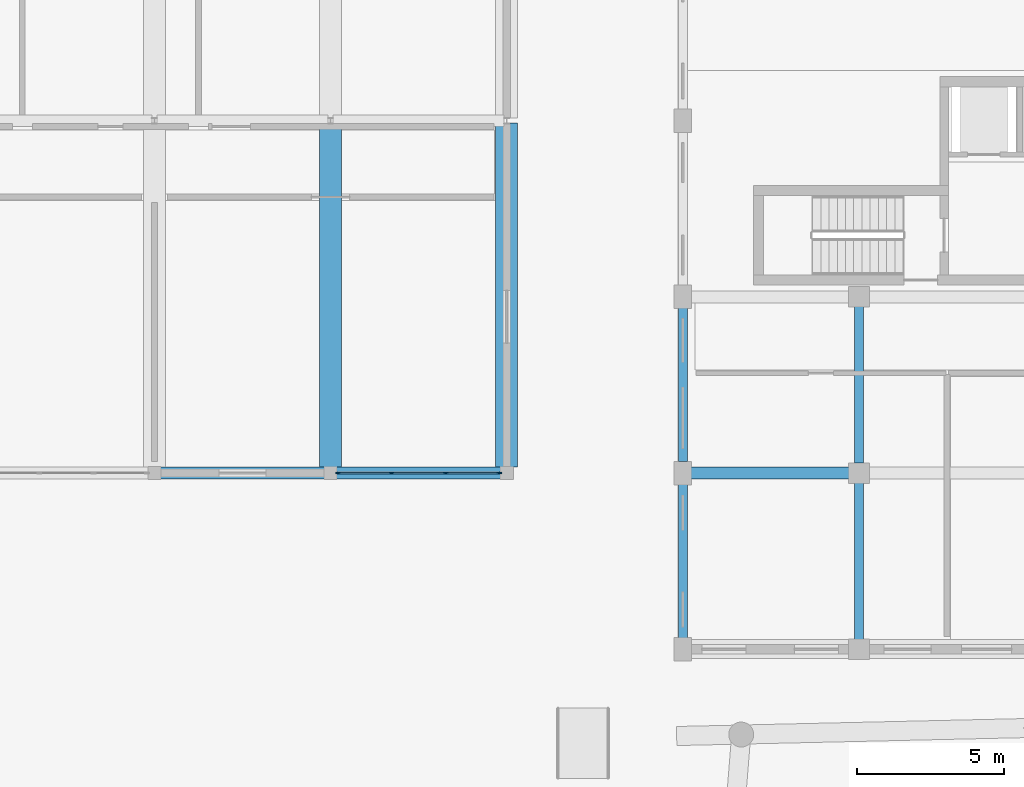
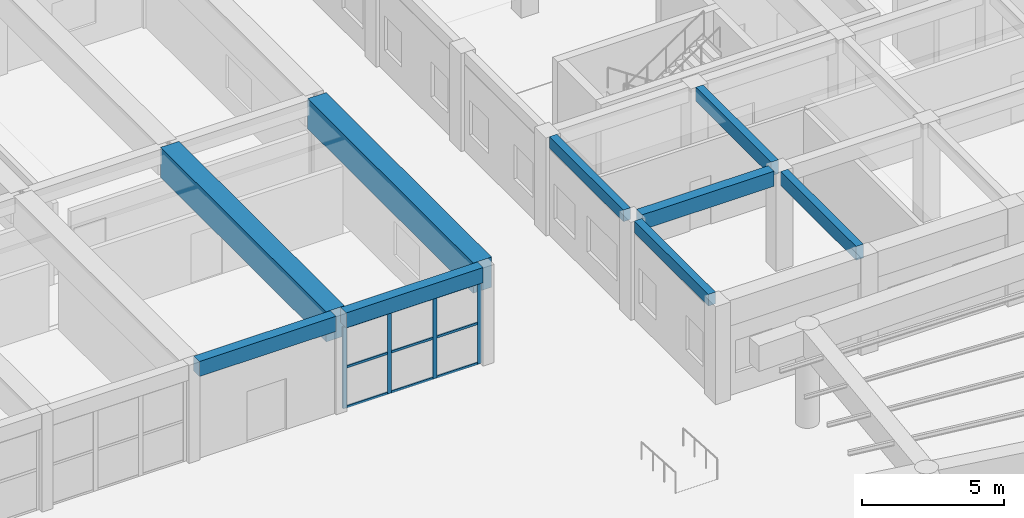
# One storey, part 23 of 76: 13 members, 9 beams, 1 element without a shape of its own.
"""IFC4 building model written with IfcOpenShell, lengths in metres."""

from ifc_helpers import new_model, si_unit, direction, frame, origin, origin_2d, place, context, subcontext, project, spatial, rectangle, extrude, material, layer, layer_set, material_profile, profile_set, type_object, element, aggregate, save


model = new_model("IFC4")

# Units and contexts
model_context = context("Model", 3, precision=1e-05, world=origin(), true_north=direction((0.0, 1.0)))
body_context = subcontext(model_context, "Body", "Model", "MODEL_VIEW")
ifc_project = project(units=[si_unit("LENGTHUNIT", "METRE"), si_unit("AREAUNIT", "SQUARE_METRE"), si_unit("VOLUMEUNIT", "CUBIC_METRE"), si_unit("PLANEANGLEUNIT", "RADIAN"), si_unit("MASSUNIT", "GRAM", prefix="KILO"), si_unit("POWERUNIT", "WATT"), si_unit("THERMODYNAMICTEMPERATUREUNIT", "KELVIN")], contexts=[model_context])

# Site, building, storey
site_placement = place(None, origin())
site = spatial("IfcSite", under=ifc_project, at=site_placement, CompositionType="ELEMENT")
building_placement = place(site_placement, origin())
building = spatial("IfcBuilding", under=site, at=building_placement, Name="Ruvembo Vaulted Housing Court", CompositionType="ELEMENT")
storey_placement = place(building_placement, origin())
storey = spatial("IfcBuildingStorey", under=building, at=storey_placement, Name="L00", CompositionType="ELEMENT", Elevation=0.0)

# Beams
ifc_material_1 = material(Name="Concrete C35/45", Category="concrete")
ifc_material_profile_1 = material_profile(ifc_material_1, rectangle(XDim=0.300048828125, YDim=0.60009765625, at=origin_2d()), Name="RC 300x600")
ifc_profile_set_1 = profile_set([ifc_material_profile_1], Name="Concrete C35/45")
beam_type_1 = type_object("IfcBeamType", Name="BM-RC-300x600", PredefinedType="BEAM", material=ifc_profile_set_1)
for number, where, z_axis, x_axis, name in (
    (1, (54.0, 78.3349609375, 3.929931640625), (0.0, 1.0, 0.0), (-1.0, 0.0, 0.0), "L00 Grid Beam Y #998"),
    (2, (54.0, 84.3349609375, 3.929931640625), (0.0, 1.0, 0.0), (-1.0, 0.0, 0.0), "L00 Grid Beam Y #999"),
):
    element("IfcBeam", number, at=place(storey_placement, frame(where, z_axis=z_axis, x_axis=x_axis)), inside=storey, type_object=beam_type_1, Name=name, PredefinedType="BEAM", context=body_context, shape_type="SweptSolid", body=[
        extrude(rectangle(XDim=0.300048828125, YDim=0.60009765625, at=origin_2d()), origin(), (0.0, 0.0, 1.0), 5.330078125),
    ])
ifc_material_profile_2 = material_profile(ifc_material_1, rectangle(XDim=0.39990234375, YDim=0.64990234375, at=origin_2d()), Name="RC 400x650")
ifc_profile_set_2 = profile_set([ifc_material_profile_2], Name="Concrete C35/45")
beam_type_2 = type_object("IfcBeamType", Name="BM-RC-400x650", PredefinedType="BEAM", material=ifc_profile_set_2)
for number, where, z_axis, x_axis, name in (
    (3, (30.2099609375, 84.0, 3.905029296875), (1.0, 0.0, 0.0), (0.0, 1.0, 0.0), "L00 Grid Beam X #874"),
    (4, (36.2099609375, 84.0, 3.905029296875), (1.0, 0.0, 0.0), (0.0, 1.0, 0.0), "L00 Grid Beam X #875"),
):
    element("IfcBeam", number, at=place(storey_placement, frame(where, z_axis=z_axis, x_axis=x_axis)), inside=storey, type_object=beam_type_2, Name=name, PredefinedType="BEAM", context=body_context, shape_type="SweptSolid", body=[
        extrude(rectangle(XDim=0.39990234375, YDim=0.64990234375, at=origin_2d()), origin(), (0.0, 0.0, 1.0), 5.580078125),
    ])
beam_placement = place(storey_placement, frame((48.284912109375, 84.0, 3.905029296875), z_axis=(1.0, 0.0, 0.0), x_axis=(0.0, 1.0, 0.0)))
element("IfcBeam", 5, at=beam_placement, inside=storey, type_object=beam_type_2, Name="L00 Grid Beam X #876", PredefinedType="BEAM", context=body_context, shape_type="SweptSolid", body=[
    extrude(rectangle(XDim=0.39990234375, YDim=0.64990234375, at=origin_2d()), origin(), (0.0, 0.0, 1.0), 5.380126953125),
])

# Curtain wall, members
ifc_material_2 = material(Name="Anodised Aluminium and Solar-Control Glass", Category="aluminium")
ifc_layer = layer(ifc_material_2, 0.139892578125, Name="Anodised Aluminium and Solar-Control Glass")
ifc_layer_set = layer_set([ifc_layer], Name="Anodised Aluminium and Solar-Control Glass")
curtain_wall_type = type_object("IfcCurtainWallType", Name="CW-NURSERY-G", PredefinedType="NOTDEFINED", material=ifc_layer_set)
curtain_wall_placement = place(storey_placement, origin())
curtain_wall = element("IfcCurtainWall", 6, at=curtain_wall_placement, inside=storey, type_object=curtain_wall_type, Name="L00 Curtain Wall CW-L00-0137", PredefinedType="NOTDEFINED")
ifc_material_3 = material(Name="Anodised Aluminium 6063-T6", Category="aluminium")
ifc_material_profile_3 = material_profile(ifc_material_3, rectangle(XDim=0.06005859375, YDim=0.159912109375, at=origin_2d()), Name="ALU 60x160")
ifc_profile_set_3 = profile_set([ifc_material_profile_3], Name="Anodised Aluminium 6063-T6")
member_type_1 = type_object("IfcMemberType", Name="CW-MULLION-65x150", PredefinedType="MULLION", material=ifc_profile_set_3)
member_1_placement = place(storey_placement, frame((36.2548828125, 84.0, 0.0), z_axis=(0.0, 0.0, 1.0), x_axis=(0.0, 1.0, 0.0)))
member_1 = element("IfcMember", 7, at=member_1_placement, type_object=member_type_1, Name="CW4 mullion 1", PredefinedType="MULLION", context=body_context, shape_type="SweptSolid", body=[
    extrude(rectangle(XDim=0.06005859375, YDim=0.159912109375, at=origin_2d()), origin(), (0.0, 0.0, 1.0), 3.511962890625),
])
member_2_placement = place(storey_placement, frame((38.074951171875, 84.0, 0.0), z_axis=(0.0, 0.0, 1.0), x_axis=(0.0, 1.0, 0.0)))
member_2 = element("IfcMember", 8, at=member_2_placement, type_object=member_type_1, Name="CW4 mullion 2", PredefinedType="MULLION", context=body_context, shape_type="SweptSolid", body=[
    extrude(rectangle(XDim=0.06005859375, YDim=0.159912109375, at=origin_2d()), origin(), (0.0, 0.0, 1.0), 3.511962890625),
])
member_3_placement = place(storey_placement, frame((39.925048828125, 84.0, 0.0), z_axis=(0.0, 0.0, 1.0), x_axis=(0.0, 1.0, 0.0)))
member_3 = element("IfcMember", 9, at=member_3_placement, type_object=member_type_1, Name="CW4 mullion 3", PredefinedType="MULLION", context=body_context, shape_type="SweptSolid", body=[
    extrude(rectangle(XDim=0.06005859375, YDim=0.159912109375, at=origin_2d()), origin(), (0.0, 0.0, 1.0), 3.511962890625),
])
member_4_placement = place(storey_placement, frame((41.7451171875, 84.0, 0.0), z_axis=(0.0, 0.0, 1.0), x_axis=(0.0, 1.0, 0.0)))
member_4 = element("IfcMember", 10, at=member_4_placement, type_object=member_type_1, Name="CW4 mullion 4", PredefinedType="MULLION", context=body_context, shape_type="SweptSolid", body=[
    extrude(rectangle(XDim=0.06005859375, YDim=0.159912109375, at=origin_2d()), origin(), (0.0, 0.0, 1.0), 3.511962890625),
])
ifc_material_profile_4 = material_profile(ifc_material_3, rectangle(XDim=0.06005859375, YDim=0.10009765625, at=origin_2d()), Name="ALU 60x100")
ifc_profile_set_4 = profile_set([ifc_material_profile_4], Name="Anodised Aluminium 6063-T6")
member_type_2 = type_object("IfcMemberType", Name="CW-TRN-60x100", PredefinedType="USERDEFINED", material=ifc_profile_set_4)
member_5_placement = place(storey_placement, frame((36.284912109375, 84.0, 0.030029296875), z_axis=(1.0, 0.0, 0.0), x_axis=(0.0, 1.0, 0.0)))
member_5 = element("IfcMember", 11, at=member_5_placement, type_object=member_type_2, Name="CW4 transom 1.1", ObjectType="TRANSOM", PredefinedType="USERDEFINED", context=body_context, shape_type="SweptSolid", body=[
    extrude(rectangle(XDim=0.06005859375, YDim=0.10009765625, at=origin_2d()), origin(), (0.0, 0.0, 1.0), 1.760009765625),
])
member_6_placement = place(storey_placement, frame((36.284912109375, 84.0, 1.756103515625), z_axis=(1.0, 0.0, 0.0), x_axis=(0.0, 1.0, 0.0)))
member_6 = element("IfcMember", 12, at=member_6_placement, type_object=member_type_2, Name="CW4 transom 1.2", ObjectType="TRANSOM", PredefinedType="USERDEFINED", context=body_context, shape_type="SweptSolid", body=[
    extrude(rectangle(XDim=0.06005859375, YDim=0.10009765625, at=origin_2d()), origin(), (0.0, 0.0, 1.0), 1.760009765625),
])
member_7_placement = place(storey_placement, frame((36.284912109375, 84.0, 3.48193359375), z_axis=(1.0, 0.0, 0.0), x_axis=(0.0, 1.0, 0.0)))
member_7 = element("IfcMember", 13, at=member_7_placement, type_object=member_type_2, Name="CW4 transom 1.3", ObjectType="TRANSOM", PredefinedType="USERDEFINED", context=body_context, shape_type="SweptSolid", body=[
    extrude(rectangle(XDim=0.06005859375, YDim=0.10009765625, at=origin_2d()), origin(), (0.0, 0.0, 1.0), 1.760009765625),
])
member_8_placement = place(storey_placement, frame((38.10498046875, 84.0, 0.030029296875), z_axis=(1.0, 0.0, 0.0), x_axis=(0.0, 1.0, 0.0)))
member_8 = element("IfcMember", 14, at=member_8_placement, type_object=member_type_2, Name="CW4 transom 2.1", ObjectType="TRANSOM", PredefinedType="USERDEFINED", context=body_context, shape_type="SweptSolid", body=[
    extrude(rectangle(XDim=0.06005859375, YDim=0.10009765625, at=origin_2d()), origin(), (0.0, 0.0, 1.0), 1.7900390625),
])
member_9_placement = place(storey_placement, frame((38.10498046875, 84.0, 1.756103515625), z_axis=(1.0, 0.0, 0.0), x_axis=(0.0, 1.0, 0.0)))
member_9 = element("IfcMember", 15, at=member_9_placement, type_object=member_type_2, Name="CW4 transom 2.2", ObjectType="TRANSOM", PredefinedType="USERDEFINED", context=body_context, shape_type="SweptSolid", body=[
    extrude(rectangle(XDim=0.06005859375, YDim=0.10009765625, at=origin_2d()), origin(), (0.0, 0.0, 1.0), 1.7900390625),
])
member_10_placement = place(storey_placement, frame((38.10498046875, 84.0, 3.48193359375), z_axis=(1.0, 0.0, 0.0), x_axis=(0.0, 1.0, 0.0)))
member_10 = element("IfcMember", 16, at=member_10_placement, type_object=member_type_2, Name="CW4 transom 2.3", ObjectType="TRANSOM", PredefinedType="USERDEFINED", context=body_context, shape_type="SweptSolid", body=[
    extrude(rectangle(XDim=0.06005859375, YDim=0.10009765625, at=origin_2d()), origin(), (0.0, 0.0, 1.0), 1.7900390625),
])
member_11_placement = place(storey_placement, frame((39.955078125, 84.0, 0.030029296875), z_axis=(1.0, 0.0, 0.0), x_axis=(0.0, 1.0, 0.0)))
member_11 = element("IfcMember", 17, at=member_11_placement, type_object=member_type_2, Name="CW4 transom 3.1", ObjectType="TRANSOM", PredefinedType="USERDEFINED", context=body_context, shape_type="SweptSolid", body=[
    extrude(rectangle(XDim=0.06005859375, YDim=0.10009765625, at=origin_2d()), origin(), (0.0, 0.0, 1.0), 1.760009765625),
])
member_12_placement = place(storey_placement, frame((39.955078125, 84.0, 1.756103515625), z_axis=(1.0, 0.0, 0.0), x_axis=(0.0, 1.0, 0.0)))
member_12 = element("IfcMember", 18, at=member_12_placement, type_object=member_type_2, Name="CW4 transom 3.2", ObjectType="TRANSOM", PredefinedType="USERDEFINED", context=body_context, shape_type="SweptSolid", body=[
    extrude(rectangle(XDim=0.06005859375, YDim=0.10009765625, at=origin_2d()), origin(), (0.0, 0.0, 1.0), 1.760009765625),
])
member_13_placement = place(storey_placement, frame((39.955078125, 84.0, 3.48193359375), z_axis=(1.0, 0.0, 0.0), x_axis=(0.0, 1.0, 0.0)))
member_13 = element("IfcMember", 19, at=member_13_placement, type_object=member_type_2, Name="CW4 transom 3.3", ObjectType="TRANSOM", PredefinedType="USERDEFINED", context=body_context, shape_type="SweptSolid", body=[
    extrude(rectangle(XDim=0.06005859375, YDim=0.10009765625, at=origin_2d()), origin(), (0.0, 0.0, 1.0), 1.760009765625),
])
aggregate(curtain_wall, [member_1, member_2, member_3, member_4, member_5, member_6, member_7, member_8, member_9, member_10, member_11, member_12, member_13])

# Beams
ifc_material_profile_5 = material_profile(ifc_material_1, rectangle(XDim=0.300048828125, YDim=0.5, at=origin_2d()), Name="RC 300x500")
ifc_profile_set_5 = profile_set([ifc_material_profile_5], Name="Concrete C35/45")
beam_type_3 = type_object("IfcBeamType", Name="SP-RC-300x500", PredefinedType="SPANDREL", material=ifc_profile_set_5)
for number, where, z_axis, x_axis, name in (
    (20, (48.0, 78.385009765625, 3.97998046875), (0.0, 1.0, 0.0), (-1.0, 0.0, 0.0), "L00 Grid Beam Y #992"),
    (21, (48.0, 84.385009765625, 3.97998046875), (0.0, 1.0, 0.0), (-1.0, 0.0, 0.0), "L00 Grid Beam Y #993"),
):
    element("IfcBeam", number, at=place(storey_placement, frame(where, z_axis=z_axis, x_axis=x_axis)), inside=storey, type_object=beam_type_3, Name=name, PredefinedType="SPANDREL", context=body_context, shape_type="SweptSolid", body=[
        extrude(rectangle(XDim=0.300048828125, YDim=0.5, at=origin_2d()), origin(), (0.0, 0.0, 1.0), 5.22998046875),
    ])
ifc_material_4 = material(Name="Concrete C40/50", Category="concrete")
ifc_material_profile_6 = material_profile(ifc_material_4, rectangle(XDim=0.75, YDim=1.300048828125, at=origin_2d()), Name="RC 750x1300")
ifc_profile_set_6 = profile_set([ifc_material_profile_6], Name="Concrete C40/50")
beam_type_4 = type_object("IfcBeamType", Name="TB-RC-750x1300", PredefinedType="BEAM", material=ifc_profile_set_6)
for number, where, z_axis, x_axis, name in (
    (22, (36.0, 84.2099609375, 3.580078125), (0.0, 1.0, 0.0), (-1.0, 0.0, 0.0), "L00 Grid Beam Y #988"),
    (23, (42.0, 84.2099609375, 3.580078125), (0.0, 1.0, 0.0), (-1.0, 0.0, 0.0), "L00 Grid Beam Y #990"),
):
    element("IfcBeam", number, at=place(storey_placement, frame(where, z_axis=z_axis, x_axis=x_axis)), inside=storey, type_object=beam_type_4, Name=name, PredefinedType="BEAM", context=body_context, shape_type="SweptSolid", body=[
        extrude(rectangle(XDim=0.75, YDim=1.300048828125, at=origin_2d()), origin(), (0.0, 0.0, 1.0), 11.705078125),
    ])

save(model, "model.ifc")
